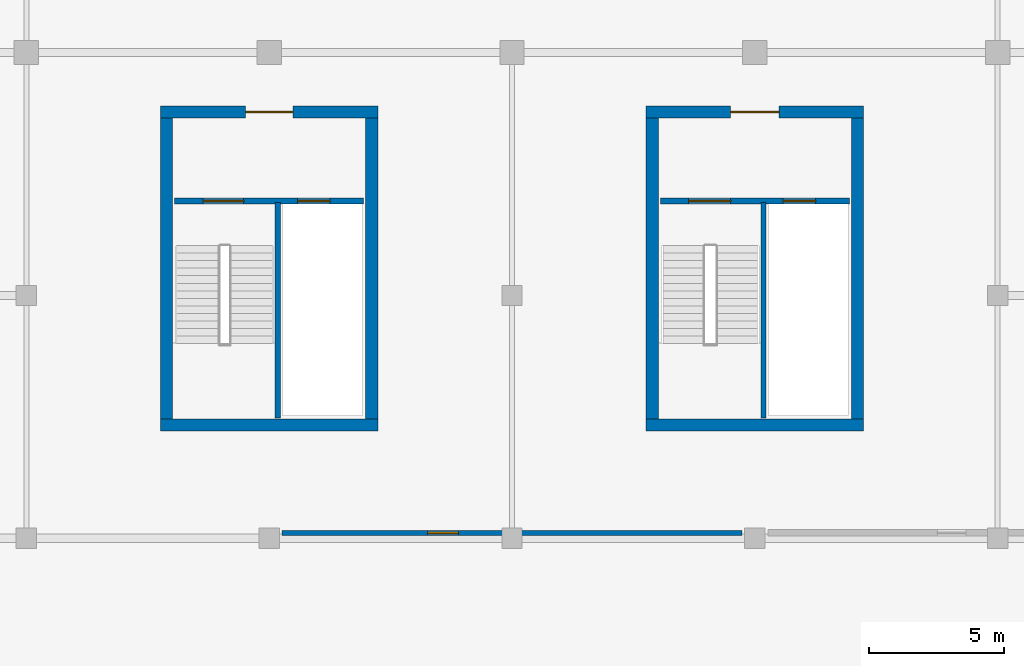
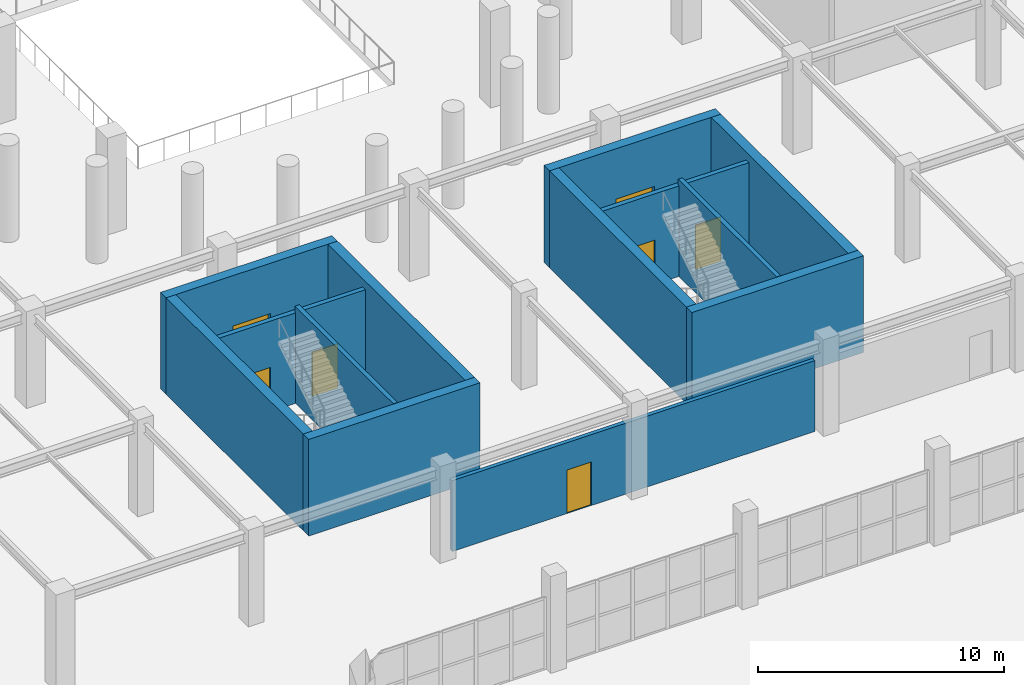
# One storey, part 61 of 89: 13 walls, 7 doors, 7 openings.
"""IFC4 building model written with IfcOpenShell, lengths in metres."""

from ifc_helpers import new_model, si_unit, direction, frame, frame_2d, origin, place, context, subcontext, project, spatial, rectangle, extrude, material, layer, layer_set, type_object, element, fill, save


model = new_model("IFC4")

# Units and contexts
model_context = context("Model", 3, precision=1e-05, world=origin(), true_north=direction((0.0, 1.0)))
body_context = subcontext(model_context, "Body", "Model", "MODEL_VIEW")
ifc_project = project(units=[si_unit("LENGTHUNIT", "METRE"), si_unit("AREAUNIT", "SQUARE_METRE"), si_unit("VOLUMEUNIT", "CUBIC_METRE"), si_unit("PLANEANGLEUNIT", "RADIAN"), si_unit("MASSUNIT", "GRAM", prefix="KILO")], contexts=[model_context])

# Site, building, storey
site_placement = place(None, origin())
site = spatial("IfcSite", under=ifc_project, at=site_placement, CompositionType="ELEMENT")
building_placement = place(site_placement, origin())
building = spatial("IfcBuilding", under=site, at=building_placement, Name="Dornveld Trade and Exhibition Forum", CompositionType="ELEMENT")
storey_placement = place(building_placement, frame((0.0, 0.0, 12.0)))
storey = spatial("IfcBuildingStorey", under=building, at=storey_placement, Name="L02", CompositionType="ELEMENT", Elevation=12.0)

# Wall
ifc_material_1 = material(Name="Concrete C40/50", Category="concrete")
ifc_layer_1 = layer(ifc_material_1, 0.449951171875)
ifc_layer_set_1 = layer_set([ifc_layer_1], Name="Concrete C40/50")
wall_type_1 = type_object("IfcWallType", Name="WL-CORE-450", PredefinedType="SHEAR", material=ifc_layer_set_1)
wall_1_placement = place(storey_placement, frame((103.97509765625, 49.199951171875, 0.0), z_axis=(0.0, 0.0, 1.0), x_axis=(1.0, 0.0, 0.0)))
element("IfcWall", 1, at=wall_1_placement, inside=storey, type_object=wall_type_1, Name="CORE-06 L02 shear wall S", PredefinedType="SHEAR", context=body_context, shape_type="SweptSolid", body=[
    extrude(rectangle(XDim=8.0498046875, YDim=0.449951171875, at=frame_2d((4.02490234375, 0.0))), origin(), (0.0, 0.0, 1.0), 4.800048828125),
])

# Wall, opening, door
wall_2_placement = place(storey_placement, frame((103.97509765625, 60.800048828125, 0.0), z_axis=(0.0, 0.0, 1.0), x_axis=(1.0, 0.0, 0.0)))
wall_2 = element("IfcWall", 2, at=wall_2_placement, inside=storey, type_object=wall_type_1, Name="CORE-06 L02 shear wall N", PredefinedType="SHEAR", context=body_context, shape_type="SweptSolid", body=[
    extrude(rectangle(XDim=8.0498046875, YDim=0.449951171875, at=frame_2d((4.02490234375, 0.0))), origin(), (0.0, 0.0, 1.0), 4.800048828125),
])
opening_1_placement = place(wall_2_placement, frame((3.14990234375, 0.0, 0.0)))
opening_1 = element("IfcOpeningElement", 3, at=opening_1_placement, cuts=wall_2, Name="Opening CD-06-L02", PredefinedType="OPENING", context=body_context, shape_type="SweptSolid", body=[
    extrude(rectangle(XDim=1.75, YDim=2.300048828125, at=frame_2d((0.875, 1.14990234375))), frame((0.0, 0.23486328125, 0.0), z_axis=(0.0, -1.0, 0.0), x_axis=(1.0, 0.0, 0.0)), (0.0, 0.0, 1.0), 0.469970703125),
])
ifc_material_2 = material(Name="Steel fire-rated double door assembly", Category="steel")
door_type_1 = type_object("IfcDoorType", Name="DR-CORE-175x230", OperationType="NOTDEFINED", PredefinedType="DOOR", material=ifc_material_2)
door_1_placement = place(opening_1_placement, origin())
door_1 = element("IfcDoor", 4, at=door_1_placement, inside=storey, type_object=door_type_1, Name="CORE-06 L02 core lobby double fire door", OperationType="DOUBLE_DOOR_SINGLE_SWING", OverallHeight=2.300048828125, OverallWidth=1.75, PredefinedType="DOOR", context=body_context, shape_type="SweptSolid", body=[
    extrude(rectangle(XDim=1.75, YDim=2.300048828125, at=frame_2d((0.875, 1.14990234375))), frame((0.0, 0.02490234375, 0.0), z_axis=(0.0, -1.0, 0.0), x_axis=(1.0, 0.0, 0.0)), (0.0, 0.0, 1.0), 0.050048828125),
])
fill(opening_1, door_1)

# Walls
for number, where, z_axis, x_axis, name in (
    (5, (104.199951171875, 49.425048828125, 0.0), (0.0, 0.0, 1.0), (0.0, 1.0, 0.0), "CORE-06 L02 shear wall W"),
    (6, (111.800048828125, 49.425048828125, 0.0), (0.0, 0.0, 1.0), (0.0, 1.0, 0.0), "CORE-06 L02 shear wall E"),
):
    element("IfcWall", number, at=place(storey_placement, frame(where, z_axis=z_axis, x_axis=x_axis)), inside=storey, type_object=wall_type_1, Name=name, PredefinedType="SHEAR", context=body_context, shape_type="SweptSolid", body=[
        extrude(rectangle(XDim=11.14990234375, YDim=0.449951171875, at=frame_2d((5.574951171875, 0.0))), origin(), (0.0, 0.0, 1.0), 4.800048828125),
    ])
wall_3_placement = place(storey_placement, frame((121.97509765625, 49.199951171875, 0.0), z_axis=(0.0, 0.0, 1.0), x_axis=(1.0, 0.0, 0.0)))
element("IfcWall", 7, at=wall_3_placement, inside=storey, type_object=wall_type_1, Name="CORE-07 L02 shear wall S", PredefinedType="SHEAR", context=body_context, shape_type="SweptSolid", body=[
    extrude(rectangle(XDim=8.0498046875, YDim=0.449951171875, at=frame_2d((4.02490234375, 0.0))), origin(), (0.0, 0.0, 1.0), 4.800048828125),
])

# Wall, opening, door
wall_4_placement = place(storey_placement, frame((121.97509765625, 60.800048828125, 0.0), z_axis=(0.0, 0.0, 1.0), x_axis=(1.0, 0.0, 0.0)))
wall_4 = element("IfcWall", 8, at=wall_4_placement, inside=storey, type_object=wall_type_1, Name="CORE-07 L02 shear wall N", PredefinedType="SHEAR", context=body_context, shape_type="SweptSolid", body=[
    extrude(rectangle(XDim=8.0498046875, YDim=0.449951171875, at=frame_2d((4.02490234375, 0.0))), origin(), (0.0, 0.0, 1.0), 4.800048828125),
])
opening_2_placement = place(wall_4_placement, frame((3.125, 0.0, 0.0)))
opening_2 = element("IfcOpeningElement", 9, at=opening_2_placement, cuts=wall_4, Name="Opening CD-07-L02", PredefinedType="OPENING", context=body_context, shape_type="SweptSolid", body=[
    extrude(rectangle(XDim=1.800048828125, YDim=2.300048828125, at=frame_2d((0.89990234375, 1.14990234375))), frame((0.0, 0.23486328125, 0.0), z_axis=(0.0, -1.0, 0.0), x_axis=(1.0, 0.0, 0.0)), (0.0, 0.0, 1.0), 0.469970703125),
])
ifc_material_3 = material(Name="Steel fire-rated double door assembly", Category="steel")
door_type_2 = type_object("IfcDoorType", Name="DR-CORE-180x230", OperationType="NOTDEFINED", PredefinedType="DOOR", material=ifc_material_3)
door_2_placement = place(opening_2_placement, origin())
door_2 = element("IfcDoor", 10, at=door_2_placement, inside=storey, type_object=door_type_2, Name="CORE-07 L02 core lobby double fire door", OperationType="DOUBLE_DOOR_SINGLE_SWING", OverallHeight=2.300048828125, OverallWidth=1.800048828125, PredefinedType="DOOR", context=body_context, shape_type="SweptSolid", body=[
    extrude(rectangle(XDim=1.800048828125, YDim=2.300048828125, at=frame_2d((0.89990234375, 1.14990234375))), frame((0.0, 0.02490234375, 0.0), z_axis=(0.0, -1.0, 0.0), x_axis=(1.0, 0.0, 0.0)), (0.0, 0.0, 1.0), 0.050048828125),
])
fill(opening_2, door_2)

# Walls
for number, where, z_axis, x_axis, name in (
    (11, (122.199951171875, 49.425048828125, 0.0), (0.0, 0.0, 1.0), (0.0, 1.0, 0.0), "CORE-07 L02 shear wall W"),
    (12, (129.800048828125, 49.425048828125, 0.0), (0.0, 0.0, 1.0), (0.0, 1.0, 0.0), "CORE-07 L02 shear wall E"),
):
    element("IfcWall", number, at=place(storey_placement, frame(where, z_axis=z_axis, x_axis=x_axis)), inside=storey, type_object=wall_type_1, Name=name, PredefinedType="SHEAR", context=body_context, shape_type="SweptSolid", body=[
        extrude(rectangle(XDim=11.14990234375, YDim=0.449951171875, at=frame_2d((5.574951171875, 0.0))), origin(), (0.0, 0.0, 1.0), 4.800048828125),
    ])

# Wall, opening, door
ifc_material_4 = material(Name="Fire-rated steel-stud gypsum board", Category="steel")
ifc_layer_2 = layer(ifc_material_4, 0.18505859375)
ifc_layer_set_2 = layer_set([ifc_layer_2], Name="Fire-rated steel-stud gypsum board")
wall_type_2 = type_object("IfcWallType", Name="WL-INT-FR185", PredefinedType="PARTITIONING", material=ifc_layer_set_2)
wall_5_placement = place(storey_placement, frame((108.47998046875, 45.199951171875, 0.0), z_axis=(0.0, 0.0, 1.0), x_axis=(1.0, 0.0, 0.0)))
wall_5 = element("IfcWall", 13, at=wall_5_placement, inside=storey, type_object=wall_type_2, Name="L02 interior partition 110", PredefinedType="PARTITIONING", context=body_context, shape_type="SweptSolid", body=[
    extrude(rectangle(XDim=17.0400390625, YDim=0.18505859375, at=frame_2d((8.52001953125, 0.0))), origin(), (0.0, 0.0, 1.0), 3.52001953125),
])
opening_3_placement = place(wall_5_placement, frame((5.39404296875, 0.0, 0.0)))
opening_3 = element("IfcOpeningElement", 14, at=opening_3_placement, cuts=wall_5, Name="Opening MSD-14-073", PredefinedType="OPENING", context=body_context, shape_type="SweptSolid", body=[
    extrude(rectangle(XDim=1.139892578125, YDim=2.159912109375, at=frame_2d((0.56982421875, 1.080078125))), frame((0.0, 0.1025390625, 0.0), z_axis=(0.0, -1.0, 0.0), x_axis=(1.0, 0.0, 0.0)), (0.0, 0.0, 1.0), 0.205078125),
])
ifc_material_5 = material(Name="Solid-core administration door", Category="wood")
door_type_3 = type_object("IfcDoorType", Name="DR-SUB-114x216", OperationType="NOTDEFINED", PredefinedType="DOOR", material=ifc_material_5)
door_3_placement = place(opening_3_placement, origin())
door_3 = element("IfcDoor", 15, at=door_3_placement, inside=storey, type_object=door_type_3, Name="L02 interior room door 73", OperationType="SINGLE_SWING_LEFT", OverallHeight=2.159912109375, OverallWidth=1.139892578125, PredefinedType="DOOR", context=body_context, shape_type="SweptSolid", body=[
    extrude(rectangle(XDim=1.139892578125, YDim=2.159912109375, at=frame_2d((0.56982421875, 1.080078125))), frame((0.0, 0.02490234375, 0.0), z_axis=(0.0, -1.0, 0.0), x_axis=(1.0, 0.0, 0.0)), (0.0, 0.0, 1.0), 0.050048828125),
])
fill(opening_3, door_3)

# Wall, openings, doors
ifc_material_6 = material(Name="Concrete C40/50", Category="concrete")
ifc_layer_3 = layer(ifc_material_6, 0.219970703125)
ifc_layer_set_3 = layer_set([ifc_layer_3], Name="Concrete C40/50")
wall_type_3 = type_object("IfcWallType", Name="WL-INT-LOB220", PredefinedType="SOLIDWALL", material=ifc_layer_set_3)
wall_6_placement = place(storey_placement, frame((104.5, 57.5, 0.0), z_axis=(0.0, 0.0, 1.0), x_axis=(1.0, 0.0, 0.0)))
wall_6 = element("IfcWall", 16, at=wall_6_placement, inside=storey, type_object=wall_type_3, Name="CORE-06 L02 protected lobby bulkhead wall", PredefinedType="SOLIDWALL", context=body_context, shape_type="SweptSolid", body=[
    extrude(rectangle(XDim=7.0, YDim=0.219970703125, at=frame_2d((3.5, 0.0))), origin(), (0.0, 0.0, 1.0), 4.5),
])
opening_4_placement = place(wall_6_placement, frame((1.050048828125, 0.0, 0.0)))
opening_4 = element("IfcOpeningElement", 17, at=opening_4_placement, cuts=wall_6, Name="Opening SD-06-L02", PredefinedType="OPENING", context=body_context, shape_type="SweptSolid", body=[
    extrude(rectangle(XDim=1.5, YDim=2.199951171875, at=frame_2d((0.75, 1.10009765625))), frame((0.0, 0.119873046875, 0.0), z_axis=(0.0, -1.0, 0.0), x_axis=(1.0, 0.0, 0.0)), (0.0, 0.0, 1.0), 0.239990234375),
])
opening_5_placement = place(wall_6_placement, frame((4.550048828125, 0.0, 0.0)))
opening_5 = element("IfcOpeningElement", 18, at=opening_5_placement, cuts=wall_6, Name="Opening LD-06-L02", PredefinedType="OPENING", context=body_context, shape_type="SweptSolid", body=[
    extrude(rectangle(XDim=1.199951171875, YDim=2.199951171875, at=frame_2d((0.60009765625, 1.10009765625))), frame((0.0, 0.119873046875, 0.0), z_axis=(0.0, -1.0, 0.0), x_axis=(1.0, 0.0, 0.0)), (0.0, 0.0, 1.0), 0.239990234375),
])
ifc_material_7 = material(Name="Brushed stainless steel sliding lift landing door", Category="steel")
door_type_4 = type_object("IfcDoorType", Name="DR-LIFT-120x220", OperationType="NOTDEFINED", PredefinedType="DOOR", material=ifc_material_7)
door_4_placement = place(opening_5_placement, origin())
door_4 = element("IfcDoor", 19, at=door_4_placement, inside=storey, type_object=door_type_4, Name="CORE-06 L02 lift sliding landing door", OperationType="SLIDING_TO_RIGHT", OverallHeight=2.199951171875, OverallWidth=1.199951171875, PredefinedType="DOOR", context=body_context, shape_type="SweptSolid", body=[
    extrude(rectangle(XDim=1.199951171875, YDim=2.199951171875, at=frame_2d((0.60009765625, 1.10009765625))), frame((0.0, 0.02490234375, 0.0), z_axis=(0.0, -1.0, 0.0), x_axis=(1.0, 0.0, 0.0)), (0.0, 0.0, 1.0), 0.050048828125),
])
fill(opening_5, door_4)
ifc_material_8 = material(Name="Steel fire-rated stair door assembly", Category="steel")
door_type_5 = type_object("IfcDoorType", Name="DR-STAIR-150x220", OperationType="NOTDEFINED", PredefinedType="DOOR", material=ifc_material_8)
door_5_placement = place(opening_4_placement, origin())
door_5 = element("IfcDoor", 20, at=door_5_placement, inside=storey, type_object=door_type_5, Name="CORE-06 L02 protected stair door", OperationType="SINGLE_SWING_RIGHT", OverallHeight=2.199951171875, OverallWidth=1.5, PredefinedType="DOOR", context=body_context, shape_type="SweptSolid", body=[
    extrude(rectangle(XDim=1.5, YDim=2.199951171875, at=frame_2d((0.75, 1.10009765625))), frame((0.0, 0.02490234375, 0.0), z_axis=(0.0, -1.0, 0.0), x_axis=(1.0, 0.0, 0.0)), (0.0, 0.0, 1.0), 0.050048828125),
])
fill(opening_4, door_5)

wall_7_placement = place(storey_placement, frame((122.5, 57.5, 0.0), z_axis=(0.0, 0.0, 1.0), x_axis=(1.0, 0.0, 0.0)))
wall_7 = element("IfcWall", 21, at=wall_7_placement, inside=storey, type_object=wall_type_3, Name="CORE-07 L02 protected lobby bulkhead wall", PredefinedType="SOLIDWALL", context=body_context, shape_type="SweptSolid", body=[
    extrude(rectangle(XDim=7.0, YDim=0.219970703125, at=frame_2d((3.5, 0.0))), origin(), (0.0, 0.0, 1.0), 4.5),
])
opening_6_placement = place(wall_7_placement, frame((1.050048828125, 0.0, 0.0)))
opening_6 = element("IfcOpeningElement", 22, at=opening_6_placement, cuts=wall_7, Name="Opening SD-07-L02", PredefinedType="OPENING", context=body_context, shape_type="SweptSolid", body=[
    extrude(rectangle(XDim=1.550048828125, YDim=2.199951171875, at=frame_2d((0.77490234375, 1.10009765625))), frame((0.0, 0.119873046875, 0.0), z_axis=(0.0, -1.0, 0.0), x_axis=(1.0, 0.0, 0.0)), (0.0, 0.0, 1.0), 0.239990234375),
])
opening_7_placement = place(wall_7_placement, frame((4.550048828125, 0.0, 0.0)))
opening_7 = element("IfcOpeningElement", 23, at=opening_7_placement, cuts=wall_7, Name="Opening LD-07-L02", PredefinedType="OPENING", context=body_context, shape_type="SweptSolid", body=[
    extrude(rectangle(XDim=1.199951171875, YDim=2.199951171875, at=frame_2d((0.60009765625, 1.10009765625))), frame((0.0, 0.119873046875, 0.0), z_axis=(0.0, -1.0, 0.0), x_axis=(1.0, 0.0, 0.0)), (0.0, 0.0, 1.0), 0.239990234375),
])
door_6_placement = place(opening_7_placement, origin())
door_6 = element("IfcDoor", 24, at=door_6_placement, inside=storey, type_object=door_type_4, Name="CORE-07 L02 lift sliding landing door", OperationType="SLIDING_TO_LEFT", OverallHeight=2.199951171875, OverallWidth=1.199951171875, PredefinedType="DOOR", context=body_context, shape_type="SweptSolid", body=[
    extrude(rectangle(XDim=1.199951171875, YDim=2.199951171875, at=frame_2d((0.60009765625, 1.10009765625))), frame((0.0, 0.02490234375, 0.0), z_axis=(0.0, -1.0, 0.0), x_axis=(1.0, 0.0, 0.0)), (0.0, 0.0, 1.0), 0.050048828125),
])
fill(opening_7, door_6)
ifc_material_9 = material(Name="Steel fire-rated stair door assembly", Category="steel")
door_type_6 = type_object("IfcDoorType", Name="DR-STAIR-155x220", OperationType="NOTDEFINED", PredefinedType="DOOR", material=ifc_material_9)
door_7_placement = place(opening_6_placement, origin())
door_7 = element("IfcDoor", 25, at=door_7_placement, inside=storey, type_object=door_type_6, Name="CORE-07 L02 protected stair door", OperationType="SINGLE_SWING_LEFT", OverallHeight=2.199951171875, OverallWidth=1.550048828125, PredefinedType="DOOR", context=body_context, shape_type="SweptSolid", body=[
    extrude(rectangle(XDim=1.550048828125, YDim=2.199951171875, at=frame_2d((0.77490234375, 1.10009765625))), frame((0.0, 0.02490234375, 0.0), z_axis=(0.0, -1.0, 0.0), x_axis=(1.0, 0.0, 0.0)), (0.0, 0.0, 1.0), 0.050048828125),
])
fill(opening_6, door_7)

# Walls
ifc_material_10 = material(Name="Concrete C40/50", Category="concrete")
ifc_layer_4 = layer(ifc_material_10, 0.199951171875)
ifc_layer_set_4 = layer_set([ifc_layer_4], Name="Concrete C40/50")
wall_type_4 = type_object("IfcWallType", Name="WL-INT-SHAFT200", PredefinedType="SOLIDWALL", material=ifc_layer_set_4)
for number, where, z_axis, x_axis, name in (
    (26, (108.320068359375, 49.449951171875, 0.0), (0.0, 0.0, 1.0), (0.0, 1.0, 0.0), "CORE-06 L02 lift-stair structural shaft wall"),
    (27, (126.320068359375, 49.449951171875, 0.0), (0.0, 0.0, 1.0), (0.0, 1.0, 0.0), "CORE-07 L02 lift-stair structural shaft wall"),
):
    element("IfcWall", number, at=place(storey_placement, frame(where, z_axis=z_axis, x_axis=x_axis)), inside=storey, type_object=wall_type_4, Name=name, PredefinedType="SOLIDWALL", context=body_context, shape_type="SweptSolid", body=[
        extrude(rectangle(XDim=8.0, YDim=0.199951171875, at=frame_2d((4.0, 0.0))), origin(), (0.0, 0.0, 1.0), 4.800048828125),
    ])

save(model, "model.ifc")
